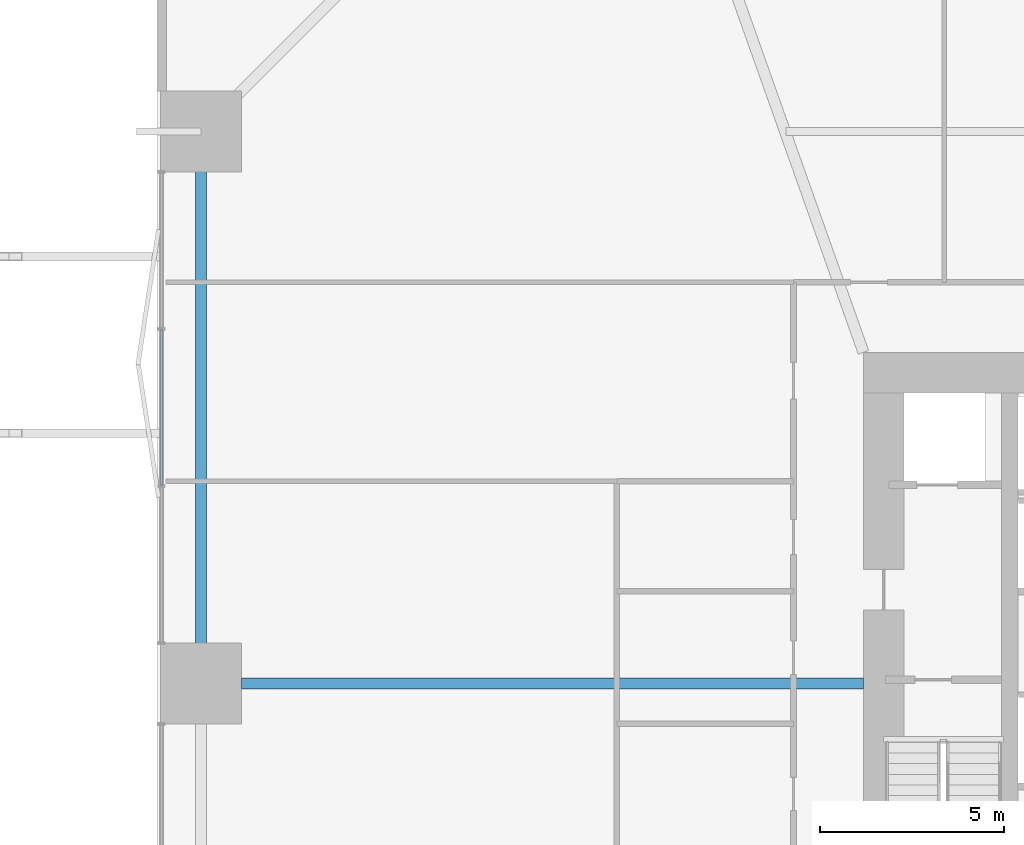
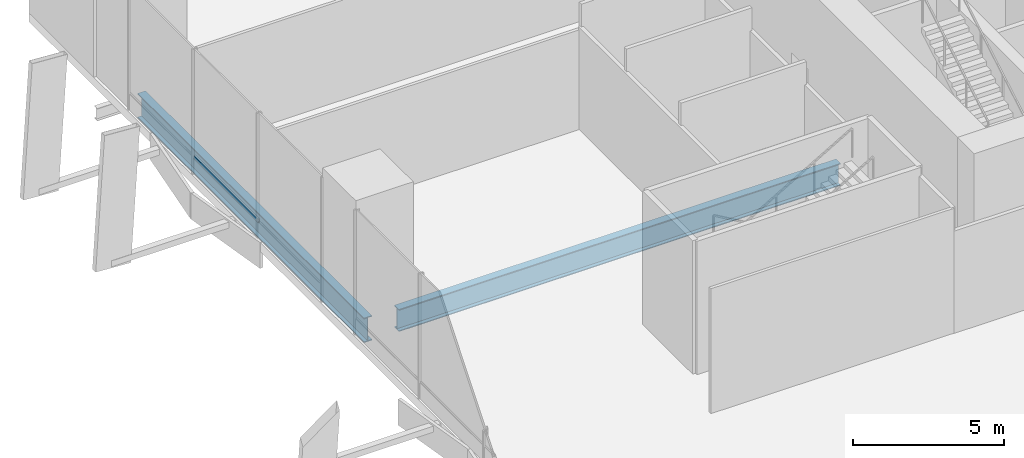
# One storey, part 10 of 24: 2 beams, 1 member, 1 element without a shape of its own.
"""IFC4 building model written with IfcOpenShell, lengths in metres."""

from ifc_helpers import new_model, si_unit, direction, frame, origin, origin_2d, place, context, subcontext, project, spatial, hollow_rectangle, i_section, extrude, material, layer, layer_set, material_profile, profile_set, type_object, element, aggregate, save


model = new_model("IFC4")

# Units and contexts
model_context = context("Model", 3, precision=1e-05, world=origin(), true_north=direction((0.0, 1.0)))
body_context = subcontext(model_context, "Body", "Model", "MODEL_VIEW")
ifc_project = project(units=[si_unit("LENGTHUNIT", "METRE"), si_unit("AREAUNIT", "SQUARE_METRE"), si_unit("VOLUMEUNIT", "CUBIC_METRE"), si_unit("PLANEANGLEUNIT", "RADIAN"), si_unit("MASSUNIT", "GRAM", prefix="KILO")], contexts=[model_context])

# Site, building, storey
site_placement = place(None, origin())
site = spatial("IfcSite", under=ifc_project, at=site_placement, CompositionType="ELEMENT")
building_placement = place(site_placement, origin())
building = spatial("IfcBuilding", under=site, at=building_placement, Name="Belovzor Exchange Tower", CompositionType="ELEMENT")
storey_placement = place(building_placement, frame((0.0, 0.0, 8.39990234375)))
storey = spatial("IfcBuildingStorey", under=building, at=storey_placement, Name="L02", CompositionType="ELEMENT", Elevation=8.39990234375)

# Beams
ifc_material_1 = material(Name="Steel S460", Category="steel")
ifc_material_profile_1 = material_profile(ifc_material_1, i_section(OverallWidth=0.300048828125, OverallDepth=1.0, WebThickness=0.02099609375, FlangeThickness=0.0400390625, at=origin_2d()))
ifc_profile_set_1 = profile_set([ifc_material_profile_1], Name="Steel S460")
beam_type_1 = type_object("IfcBeamType", Name="Podium Exchange Hall Ring Girder HEM 1000", PredefinedType="BEAM", material=ifc_profile_set_1)
beam_1_placement = place(storey_placement, frame((1.800048828125, 43.800048828125, -0.849853515625), z_axis=(0.0, -1.0, 0.0), x_axis=(1.0, 0.0, 0.0)))
element("IfcBeam", 1, at=beam_1_placement, inside=storey, type_object=beam_type_1, Name="PG-1 Podium Exchange Hall Ring Girder HEM 1000", PredefinedType="BEAM", context=body_context, shape_type="SweptSolid", body=[
    extrude(i_section(OverallWidth=0.300048828125, OverallDepth=1.0, WebThickness=0.02099609375, FlangeThickness=0.0400390625, at=origin_2d()), origin(), (0.0, 0.0, 1.0), 15.0),
])
ifc_material_2 = material(Name="Steel S460", Category="steel")
ifc_material_profile_2 = material_profile(ifc_material_2, i_section(OverallWidth=0.300048828125, OverallDepth=0.89990234375, WebThickness=0.0185546875, FlangeThickness=0.034912109375, at=origin_2d()))
ifc_profile_set_2 = profile_set([ifc_material_profile_2], Name="Steel S460")
beam_type_2 = type_object("IfcBeamType", Name="Podium Radial Clear-Span Girder HEB 900", PredefinedType="BEAM", material=ifc_profile_set_2)
beam_2_placement = place(storey_placement, frame((19.800048828125, 28.800048828125, -0.7998046875), z_axis=(-1.0, 0.0, 0.0), x_axis=(0.0, -1.0, 0.0)))
element("IfcBeam", 2, at=beam_2_placement, inside=storey, type_object=beam_type_2, Name="PG-2 Podium Radial Clear-Span Girder HEB 900", PredefinedType="BEAM", context=body_context, shape_type="SweptSolid", body=[
    extrude(i_section(OverallWidth=0.300048828125, OverallDepth=0.89990234375, WebThickness=0.0185546875, FlangeThickness=0.034912109375, at=origin_2d()), origin(), (0.0, 0.0, 1.0), 16.900146484375),
])

# Curtain wall, member
ifc_material_3 = material(Name="Anodised Aluminium Framing", Category="aluminium")
ifc_layer = layer(ifc_material_3, 0.219970703125)
ifc_layer_set = layer_set([ifc_layer], Name="Anodised Aluminium Framing")
curtain_wall_type = type_object("IfcCurtainWallType", Name="Podium Clear-Span Exchange Hall Unitised Curtain Wall", PredefinedType="NOTDEFINED", material=ifc_layer_set)
curtain_wall_placement = place(storey_placement, origin())
curtain_wall = element("IfcCurtainWall", 3, at=curtain_wall_placement, inside=storey, type_object=curtain_wall_type, Name="CW1 Podium Clear-Span Exchange Hall Unitised Curtain Wall L02", PredefinedType="NOTDEFINED")
ifc_material_4 = material(Name="Steel S355", Category="steel")
ifc_material_profile_3 = material_profile(ifc_material_4, hollow_rectangle(XDim=0.06005859375, YDim=0.14990234375, WallThickness=0.00390625, at=origin_2d()))
ifc_profile_set_3 = profile_set([ifc_material_profile_3], Name="Steel S355")
member_type = type_object("IfcMemberType", Name="Thermally Broken Curtain Wall Transom 150x60", PredefinedType="USERDEFINED", material=ifc_profile_set_3)
member_placement = place(storey_placement, frame((0.72998046875, 34.175048828125, 0.650146484375), z_axis=(0.0, 1.0, 0.0), x_axis=(-1.0, 0.0, 0.0)))
member = element("IfcMember", 4, at=member_placement, type_object=member_type, Name="CW-T150 Curtain Wall Transom 2", ObjectType="TRANSOM", PredefinedType="USERDEFINED", context=body_context, shape_type="SweptSolid", body=[
    extrude(hollow_rectangle(XDim=0.06005859375, YDim=0.14990234375, WallThickness=0.00390625, at=origin_2d()), origin(), (0.0, 0.0, 1.0), 4.25),
])
aggregate(curtain_wall, [member])

save(model, "model.ifc")
